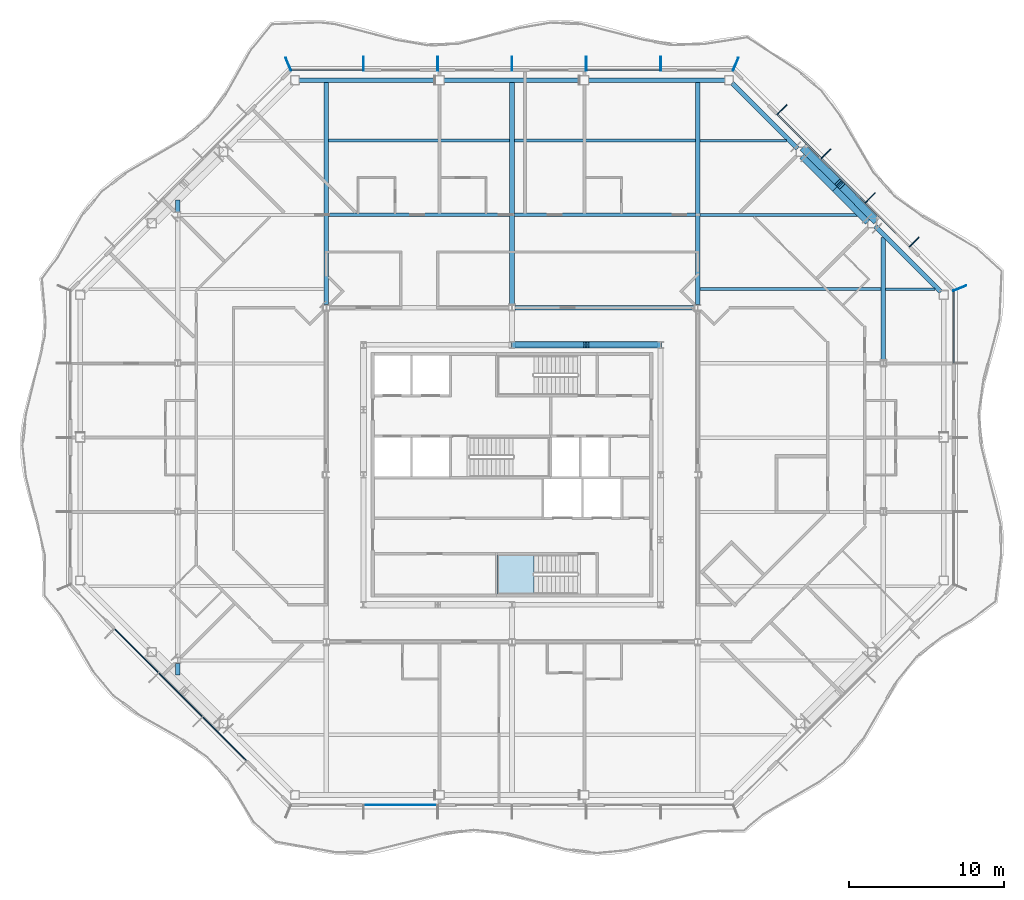
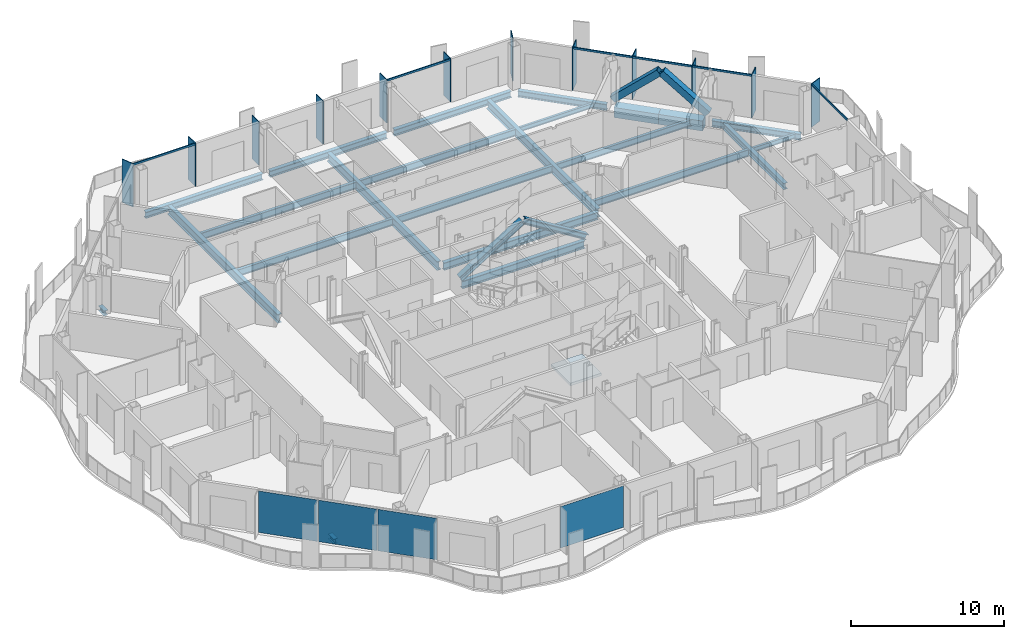
# One storey, part 5 of 21: 23 beams, 22 members, 4 plates, 1 slab, 7 elements without a shape of their own.
"""IFC4 building model written with IfcOpenShell, lengths in metres."""

from ifc_helpers import new_model, si_unit, direction, frame, origin, origin_2d, place, context, subcontext, project, spatial, polyline, rectangle, hollow_rectangle, i_section, outline, extrude, material, layer, layer_set, material_profile, profile_set, type_object, element, aggregate, save


model = new_model("IFC4")

# Units and contexts
model_context = context("Model", 3, precision=1e-05, world=origin(), true_north=direction((0.0, 1.0)))
body_context = subcontext(model_context, "Body", "Model", "MODEL_VIEW")
ifc_project = project(units=[si_unit("LENGTHUNIT", "METRE"), si_unit("AREAUNIT", "SQUARE_METRE"), si_unit("VOLUMEUNIT", "CUBIC_METRE"), si_unit("PLANEANGLEUNIT", "RADIAN"), si_unit("MASSUNIT", "GRAM", prefix="KILO")], contexts=[model_context])

# Site, building, storey
site_placement = place(None, origin())
site = spatial("IfcSite", under=ifc_project, at=site_placement, CompositionType="ELEMENT")
building_placement = place(site_placement, origin())
building = spatial("IfcBuilding", under=site, at=building_placement, Name="Cairn Pilgrim Tower", CompositionType="ELEMENT")
storey_placement = place(building_placement, frame((0.0, 0.0, 161.39990234375)))
storey = spatial("IfcBuildingStorey", under=building, at=storey_placement, Name="L40", CompositionType="ELEMENT", Elevation=161.39990234375)

# Members
ifc_material_1 = material(Name="Structural steel S460M", Category="steel")
ifc_material_profile_1 = material_profile(ifc_material_1, hollow_rectangle(XDim=0.5, YDim=0.5, WallThickness=0.030029296875, at=origin_2d()), Name="BOX 500x500x30")
ifc_profile_set_1 = profile_set([ifc_material_profile_1], Name="Structural steel S460M")
member_type_1 = type_object("IfcMemberType", Name="BOX 500x500x30 BRACE", PredefinedType="BRACE", material=ifc_profile_set_1)
for number, where, z_axis, x_axis, name in (
    (1, (30.643310546875, 18.89794921875, 0.150146484375), (-0.53283023714, 0.540432836476, 0.651171473306), (-0.712097799006, -0.702080283622, 0.0), "XB-NE2-NE3-1"),
    (2, (26.097900390625, 23.443359375, 0.150146484375), (0.540432836476, -0.53283023714, 0.651171473306), (0.702080283622, 0.712097799006, 0.0), "XB-NE2-NE3-2"),
):
    element("IfcMember", number, at=place(storey_placement, frame(where, z_axis=z_axis, x_axis=x_axis)), inside=storey, type_object=member_type_1, Name=name, PredefinedType="BRACE", context=body_context, shape_type="SweptSolid", body=[
        extrude(hollow_rectangle(XDim=0.5, YDim=0.5, WallThickness=0.030029296875, at=origin_2d()), origin(), (0.0, 0.0, 1.0), 4.142578125),
    ])

# Beams
ifc_material_2 = material(Name="Structural steel S355J2", Category="steel")
ifc_material_profile_2 = material_profile(ifc_material_2, hollow_rectangle(XDim=0.699951171875, YDim=0.800048828125, WallThickness=0.0400390625, at=origin_2d()), Name="BOX 700x800x40")
ifc_profile_set_2 = profile_set([ifc_material_profile_2], Name="Structural steel S355J2")
beam_type_1 = type_object("IfcBeamType", Name="BOX 700x800x40 RING GIRDER", PredefinedType="SPANDREL", material=ifc_profile_set_2)
beam_1_placement = place(storey_placement, frame((30.284912109375, 18.84228515625, -0.5498046875), z_axis=(-0.707106781187, 0.707106781187, 0.0), x_axis=(-0.707106781187, -0.707106781187, 0.0)))
element("IfcBeam", 3, at=beam_1_placement, inside=storey, type_object=beam_type_1, Name="RG2-NE2-NE3-1", PredefinedType="SPANDREL", context=body_context, shape_type="SweptSolid", body=[
    extrude(hollow_rectangle(XDim=0.699951171875, YDim=0.800048828125, WallThickness=0.0400390625, at=origin_2d()), origin(), (0.0, 0.0, 1.0), 3.0),
])
beam_2_placement = place(storey_placement, frame((28.16357421875, 20.963623046875, -0.5498046875), z_axis=(-0.707106781187, 0.707106781187, 0.0), x_axis=(-0.707106781187, -0.707106781187, 0.0)))
element("IfcBeam", 4, at=beam_2_placement, inside=storey, type_object=beam_type_1, Name="RG2-NE2-NE3-2", PredefinedType="SPANDREL", context=body_context, shape_type="SweptSolid", body=[
    extrude(hollow_rectangle(XDim=0.699951171875, YDim=0.800048828125, WallThickness=0.0400390625, at=origin_2d()), origin(), (0.0, 0.0, 1.0), 2.999755859375),
])

# Curtain wall, members
ifc_material_3 = material(Name="Aluminium alloy 6063-T6 bronze anodised with Bronze tinted laminated low-E glass 8+16+8.8", Category="aluminium")
curtain_wall_type_1 = type_object("IfcCurtainWallType", Name="CHAMFER CORNER CURTAIN WALL", PredefinedType="NOTDEFINED", material=ifc_material_3)
curtain_wall_1_placement = place(storey_placement, origin())
curtain_wall_1 = element("IfcCurtainWall", 5, at=curtain_wall_1_placement, inside=storey, type_object=curtain_wall_type_1, Name="Chamfer Corner Curtain Wall NE", PredefinedType="NOTDEFINED")
ifc_material_4 = material(Name="Aluminium alloy 6063-T6 bronze anodised", Category="aluminium")
ifc_material_profile_3 = material_profile(ifc_material_4, rectangle(XDim=0.89990234375, YDim=0.06005859375, at=origin_2d()), Name="FIN MULLION 60x900 BRONZE")
ifc_profile_set_3 = profile_set([ifc_material_profile_3], Name="Aluminium alloy 6063-T6 bronze anodised")
member_type_2 = type_object("IfcMemberType", Name="FIN MULLION 60x900 BRONZE", PredefinedType="MULLION", material=ifc_profile_set_3)
member_1_placement = place(storey_placement, frame((36.137939453125, 14.457275390625, 0.0), z_axis=(0.0, 0.0, 1.0), x_axis=(0.923879532511, 0.382683432365, 0.0)))
member_1 = element("IfcMember", 6, at=member_1_placement, type_object=member_type_2, Name="Fin mullion NE1", PredefinedType="MULLION", context=body_context, shape_type="SweptSolid", body=[
    extrude(rectangle(XDim=0.89990234375, YDim=0.06005859375, at=origin_2d()), origin(), (0.0, 0.0, 1.0), 3.4501953125),
])
member_2_placement = place(storey_placement, frame((33.1962890625, 17.444091796875, 0.0), z_axis=(0.0, 0.0, 1.0), x_axis=(0.707106781187, 0.707106781187, 0.0)))
member_2 = element("IfcMember", 7, at=member_2_placement, type_object=member_type_2, Name="Fin mullion NE2", PredefinedType="MULLION", context=body_context, shape_type="SweptSolid", body=[
    extrude(rectangle(XDim=0.89990234375, YDim=0.06005859375, at=origin_2d()), origin(), (0.0, 0.0, 1.0), 3.4501953125),
])
member_3_placement = place(storey_placement, frame((30.345458984375, 20.294921875, 0.0), z_axis=(0.0, 0.0, 1.0), x_axis=(0.707106781187, 0.707106781187, 0.0)))
member_3 = element("IfcMember", 8, at=member_3_placement, type_object=member_type_2, Name="Fin mullion NE3", PredefinedType="MULLION", context=body_context, shape_type="SweptSolid", body=[
    extrude(rectangle(XDim=0.89990234375, YDim=0.06005859375, at=origin_2d()), origin(), (0.0, 0.0, 1.0), 3.4501953125),
])
member_4_placement = place(storey_placement, frame((27.494873046875, 23.1455078125, 0.0), z_axis=(0.0, 0.0, 1.0), x_axis=(0.707106781187, 0.707106781187, 0.0)))
member_4 = element("IfcMember", 9, at=member_4_placement, type_object=member_type_2, Name="Fin mullion NE4", PredefinedType="MULLION", context=body_context, shape_type="SweptSolid", body=[
    extrude(rectangle(XDim=0.89990234375, YDim=0.06005859375, at=origin_2d()), origin(), (0.0, 0.0, 1.0), 3.4501953125),
])
member_5_placement = place(storey_placement, frame((24.64404296875, 25.996337890625, 0.0), z_axis=(0.0, 0.0, 1.0), x_axis=(0.707106781187, 0.707106781187, 0.0)))
member_5 = element("IfcMember", 10, at=member_5_placement, type_object=member_type_2, Name="Fin mullion NE5", PredefinedType="MULLION", context=body_context, shape_type="SweptSolid", body=[
    extrude(rectangle(XDim=0.89990234375, YDim=0.06005859375, at=origin_2d()), origin(), (0.0, 0.0, 1.0), 3.4501953125),
])

curtain_wall_type_2 = type_object("IfcCurtainWallType", Name="TOWER STICK CURTAIN WALL NS", PredefinedType="NOTDEFINED", material=ifc_material_3)
curtain_wall_2_placement = place(storey_placement, origin())
curtain_wall_2 = element("IfcCurtainWall", 11, at=curtain_wall_2_placement, inside=storey, type_object=curtain_wall_type_2, Name="Tower Stick Curtain Wall Ns N", PredefinedType="NOTDEFINED")
member_6_placement = place(storey_placement, frame((21.6572265625, 28.93798828125, 0.0), z_axis=(0.0, 0.0, 1.0), x_axis=(0.382683432365, 0.923879532511, 0.0)))
member_6 = element("IfcMember", 12, at=member_6_placement, type_object=member_type_2, Name="Fin mullion N1", PredefinedType="MULLION", context=body_context, shape_type="SweptSolid", body=[
    extrude(rectangle(XDim=0.89990234375, YDim=0.06005859375, at=origin_2d()), origin(), (0.0, 0.0, 1.0), 3.4501953125),
])
member_7_placement = place(storey_placement, frame((16.800048828125, 28.969970703125, 0.0), z_axis=(0.0, 0.0, 1.0), x_axis=(0.0, 1.0, 0.0)))
member_7 = element("IfcMember", 13, at=member_7_placement, type_object=member_type_2, Name="Fin mullion N2", PredefinedType="MULLION", context=body_context, shape_type="SweptSolid", body=[
    extrude(rectangle(XDim=0.89990234375, YDim=0.06005859375, at=origin_2d()), origin(), (0.0, 0.0, 1.0), 3.4501953125),
])
member_8_placement = place(storey_placement, frame((12.0, 28.969970703125, 0.0), z_axis=(0.0, 0.0, 1.0), x_axis=(0.0, 1.0, 0.0)))
member_8 = element("IfcMember", 14, at=member_8_placement, type_object=member_type_2, Name="Fin mullion N3", PredefinedType="MULLION", context=body_context, shape_type="SweptSolid", body=[
    extrude(rectangle(XDim=0.89990234375, YDim=0.06005859375, at=origin_2d()), origin(), (0.0, 0.0, 1.0), 3.4501953125),
])
member_9_placement = place(storey_placement, frame((7.199951171875, 28.969970703125, 0.0), z_axis=(0.0, 0.0, 1.0), x_axis=(0.0, 1.0, 0.0)))
member_9 = element("IfcMember", 15, at=member_9_placement, type_object=member_type_2, Name="Fin mullion N4", PredefinedType="MULLION", context=body_context, shape_type="SweptSolid", body=[
    extrude(rectangle(XDim=0.89990234375, YDim=0.06005859375, at=origin_2d()), origin(), (0.0, 0.0, 1.0), 3.4501953125),
])
member_10_placement = place(storey_placement, frame((2.39990234375, 28.969970703125, 0.0), z_axis=(0.0, 0.0, 1.0), x_axis=(0.0, 1.0, 0.0)))
member_10 = element("IfcMember", 16, at=member_10_placement, type_object=member_type_2, Name="Fin mullion N5", PredefinedType="MULLION", context=body_context, shape_type="SweptSolid", body=[
    extrude(rectangle(XDim=0.89990234375, YDim=0.06005859375, at=origin_2d()), origin(), (0.0, 0.0, 1.0), 3.4501953125),
])
member_11_placement = place(storey_placement, frame((-2.39990234375, 28.969970703125, 0.0), z_axis=(0.0, 0.0, 1.0), x_axis=(0.0, 1.0, 0.0)))
member_11 = element("IfcMember", 17, at=member_11_placement, type_object=member_type_2, Name="Fin mullion N6", PredefinedType="MULLION", context=body_context, shape_type="SweptSolid", body=[
    extrude(rectangle(XDim=0.89990234375, YDim=0.06005859375, at=origin_2d()), origin(), (0.0, 0.0, 1.0), 3.4501953125),
])

# Curtain wall, member
curtain_wall_3_placement = place(storey_placement, origin())
curtain_wall_3 = element("IfcCurtainWall", 18, at=curtain_wall_3_placement, inside=storey, type_object=curtain_wall_type_1, Name="Chamfer Corner Curtain Wall NW", PredefinedType="NOTDEFINED")
member_12_placement = place(storey_placement, frame((-7.257080078125, 28.93798828125, 0.0), z_axis=(0.0, 0.0, 1.0), x_axis=(-0.382683432365, 0.923879532511, 0.0)))
member_12 = element("IfcMember", 19, at=member_12_placement, type_object=member_type_2, Name="Fin mullion NW1", PredefinedType="MULLION", context=body_context, shape_type="SweptSolid", body=[
    extrude(rectangle(XDim=0.89990234375, YDim=0.06005859375, at=origin_2d()), origin(), (0.0, 0.0, 1.0), 3.4501953125),
])
aggregate(curtain_wall_3, [member_12])

# Members
ifc_material_profile_4 = material_profile(ifc_material_1, i_section(OverallWidth=0.408935546875, OverallDepth=0.425048828125, WebThickness=0.03271484375, FlangeThickness=0.052490234375, FilletRadius=0.014892578125, at=origin_2d()), Name="HD 400x421")
ifc_profile_set_4 = profile_set([ifc_material_profile_4], Name="Structural steel S460M")
member_type_3 = type_object("IfcMemberType", Name="HD 400x421 BRACE", PredefinedType="BRACE", material=ifc_profile_set_4)
for number, where, z_axis, x_axis, name in (
    (20, (16.75830078125, 10.800048828125, 0.10009765625), (-0.851119565216, 0.0, 0.524971890397), (0.0, -1.0, 0.0), "KB-3A"),
    (21, (7.24169921875, 10.800048828125, 0.10009765625), (0.851119565216, 0.0, 0.524971890397), (0.0, 1.0, 0.0), "KB-3B"),
):
    element("IfcMember", number, at=place(storey_placement, frame(where, z_axis=z_axis, x_axis=x_axis)), inside=storey, type_object=member_type_3, Name=name, PredefinedType="BRACE", context=body_context, shape_type="SweptSolid", body=[
        extrude(i_section(OverallWidth=0.408935546875, OverallDepth=0.425048828125, WebThickness=0.03271484375, FlangeThickness=0.052490234375, FilletRadius=0.014892578125, at=origin_2d()), origin(), (0.0, 0.0, 1.0), 5.528076171875),
    ])

# Beams
ifc_material_profile_5 = material_profile(ifc_material_2, i_section(OverallWidth=0.300048828125, OverallDepth=0.39990234375, WebThickness=0.013427734375, FlangeThickness=0.02392578125, FilletRadius=0.027099609375, at=origin_2d()), Name="HEB 400")
ifc_profile_set_5 = profile_set([ifc_material_profile_5], Name="Structural steel S355J2")
beam_type_2 = type_object("IfcBeamType", Name="HEB 400 GIRDER", PredefinedType="BEAM", material=ifc_profile_set_5)
for number, where, z_axis, x_axis, name in (
    (22, (-14.39990234375, -10.545166015625, -0.349853515625), (0.0, 1.0, 0.0), (-1.0, 0.0, 0.0), "PG1-E1"),
    (23, (-14.39990234375, 19.3994140625, -0.349853515625), (0.0, 1.0, 0.0), (-1.0, 0.0, 0.0), "PG1-E2"),
):
    element("IfcBeam", number, at=place(storey_placement, frame(where, z_axis=z_axis, x_axis=x_axis)), inside=storey, type_object=beam_type_2, Name=name, PredefinedType="BEAM", context=body_context, shape_type="SweptSolid", body=[
        extrude(i_section(OverallWidth=0.300048828125, OverallDepth=0.39990234375, WebThickness=0.013427734375, FlangeThickness=0.02392578125, FilletRadius=0.027099609375, at=origin_2d()), origin(), (0.0, 0.0, 1.0), 0.74560546875),
    ])
ifc_material_profile_6 = material_profile(ifc_material_2, i_section(OverallWidth=0.300048828125, OverallDepth=0.5, WebThickness=0.014404296875, FlangeThickness=0.028076171875, FilletRadius=0.027099609375, at=origin_2d()), Name="HEB 500")
ifc_profile_set_6 = profile_set([ifc_material_profile_6], Name="Structural steel S355J2")
beam_type_3 = type_object("IfcBeamType", Name="HEB 500 GIRDER", PredefinedType="BEAM", material=ifc_profile_set_6)
beam_3_placement = place(storey_placement, frame((31.199951171875, 9.804443359375, -0.39990234375), z_axis=(0.0, 1.0, 0.0), x_axis=(-1.0, 0.0, 0.0)))
element("IfcBeam", 24, at=beam_3_placement, inside=storey, type_object=beam_type_3, Name="PG5-3", PredefinedType="BEAM", context=body_context, shape_type="SweptSolid", body=[
    extrude(i_section(OverallWidth=0.300048828125, OverallDepth=0.5, WebThickness=0.014404296875, FlangeThickness=0.028076171875, FilletRadius=0.027099609375, at=origin_2d()), origin(), (0.0, 0.0, 1.0), 7.940673828125),
])
ifc_material_profile_7 = material_profile(ifc_material_2, i_section(OverallWidth=0.300048828125, OverallDepth=0.5, WebThickness=0.014404296875, FlangeThickness=0.028076171875, FilletRadius=0.027099609375, at=origin_2d()), Name="HEB 500")
ifc_profile_set_7 = profile_set([ifc_material_profile_7], Name="Structural steel S355J2")
beam_type_4 = type_object("IfcBeamType", Name="HEB 500 RING GIRDER", PredefinedType="SPANDREL", material=ifc_profile_set_7)
beam_4_placement = place(storey_placement, frame((34.9091796875, 14.218017578125, -0.39990234375), z_axis=(-0.707086435425, 0.707127126363, 0.0), x_axis=(-0.707127126363, -0.707086435425, 0.0)))
element("IfcBeam", 25, at=beam_4_placement, inside=storey, type_object=beam_type_4, Name="RG2-NE1-NE2", PredefinedType="SPANDREL", context=body_context, shape_type="SweptSolid", body=[
    extrude(i_section(OverallWidth=0.300048828125, OverallDepth=0.5, WebThickness=0.014404296875, FlangeThickness=0.028076171875, FilletRadius=0.027099609375, at=origin_2d()), origin(), (0.0, 0.0, 1.0), 5.999755859375),
])
beam_5_placement = place(storey_placement, frame((25.66064453125, 23.466796875, -0.39990234375), z_axis=(-0.707127127534, 0.707086434254, 0.0), x_axis=(-0.707086434254, -0.707127127534, 0.0)))
element("IfcBeam", 26, at=beam_5_placement, inside=storey, type_object=beam_type_4, Name="RG2-NE3-N1", PredefinedType="SPANDREL", context=body_context, shape_type="SweptSolid", body=[
    extrude(i_section(OverallWidth=0.300048828125, OverallDepth=0.5, WebThickness=0.014404296875, FlangeThickness=0.028076171875, FilletRadius=0.027099609375, at=origin_2d()), origin(), (0.0, 0.0, 1.0), 5.99951171875),
])
for number, where, z_axis, x_axis, name in (
    (27, (20.957275390625, 27.89990234375, -0.39990234375), (-1.0, 0.0, 0.0), (0.0, -1.0, 0.0), "RG2-N1-N2"),
    (28, (11.605712890625, 27.89990234375, -0.39990234375), (-1.0, 0.0, 0.0), (0.0, -1.0, 0.0), "RG2-N2-N3"),
    (29, (2.25439453125, 27.89990234375, -0.39990234375), (-1.0, 0.0, 0.0), (0.0, -1.0, 0.0), "RG2-N3-NW1"),
):
    element("IfcBeam", number, at=place(storey_placement, frame(where, z_axis=z_axis, x_axis=x_axis)), inside=storey, type_object=beam_type_4, Name=name, PredefinedType="SPANDREL", context=body_context, shape_type="SweptSolid", body=[
        extrude(i_section(OverallWidth=0.300048828125, OverallDepth=0.5, WebThickness=0.014404296875, FlangeThickness=0.028076171875, FilletRadius=0.027099609375, at=origin_2d()), origin(), (0.0, 0.0, 1.0), 8.8115234375),
    ])
ifc_material_profile_8 = material_profile(ifc_material_2, i_section(OverallWidth=0.300048828125, OverallDepth=0.60009765625, WebThickness=0.015380859375, FlangeThickness=0.030029296875, FilletRadius=0.027099609375, at=origin_2d()), Name="HEB 600")
ifc_profile_set_8 = profile_set([ifc_material_profile_8], Name="Structural steel S355J2")
beam_type_5 = type_object("IfcBeamType", Name="HEB 600 CORE BEAM", PredefinedType="BEAM", material=ifc_profile_set_8)
beam_6_placement = place(storey_placement, frame((16.61279296875, 10.800048828125, -0.449951171875), z_axis=(-1.0, 0.0, 0.0), x_axis=(0.0, -1.0, 0.0)))
element("IfcBeam", 30, at=beam_6_placement, inside=storey, type_object=beam_type_5, Name="CB-5", PredefinedType="BEAM", context=body_context, shape_type="SweptSolid", body=[
    extrude(i_section(OverallWidth=0.300048828125, OverallDepth=0.60009765625, WebThickness=0.015380859375, FlangeThickness=0.030029296875, FilletRadius=0.027099609375, at=origin_2d()), origin(), (0.0, 0.0, 1.0), 9.2255859375),
])
ifc_material_profile_9 = material_profile(ifc_material_2, i_section(OverallWidth=0.300048828125, OverallDepth=0.60009765625, WebThickness=0.015380859375, FlangeThickness=0.030029296875, FilletRadius=0.027099609375, at=origin_2d()), Name="HEB 600")
ifc_profile_set_9 = profile_set([ifc_material_profile_9], Name="Structural steel S355J2")
beam_type_6 = type_object("IfcBeamType", Name="HEB 600 INNER GIRDER", PredefinedType="BEAM", material=ifc_profile_set_9)
beam_7_placement = place(storey_placement, frame((7.3994140625, 13.199951171875, -0.449951171875), z_axis=(1.0, 0.0, 0.0), x_axis=(0.0, 1.0, 0.0)))
element("IfcBeam", 31, at=beam_7_placement, inside=storey, type_object=beam_type_6, Name="IG2-2", PredefinedType="BEAM", context=body_context, shape_type="SweptSolid", body=[
    extrude(i_section(OverallWidth=0.300048828125, OverallDepth=0.60009765625, WebThickness=0.015380859375, FlangeThickness=0.030029296875, FilletRadius=0.027099609375, at=origin_2d()), origin(), (0.0, 0.0, 1.0), 11.60107421875),
])
ifc_material_profile_10 = material_profile(ifc_material_2, i_section(OverallWidth=0.300048828125, OverallDepth=0.699951171875, WebThickness=0.01708984375, FlangeThickness=0.031982421875, FilletRadius=0.027099609375, at=origin_2d()), Name="HEB 700")
ifc_profile_set_10 = profile_set([ifc_material_profile_10], Name="Structural steel S355J2")
beam_type_7 = type_object("IfcBeamType", Name="HEB 700 GIRDER", PredefinedType="BEAM", material=ifc_profile_set_10)
for number, where, z_axis, x_axis, name in (
    (32, (-4.800048828125, 13.3994140625, -0.5), (0.0, 1.0, 0.0), (-1.0, 0.0, 0.0), "PG2-4"),
    (33, (7.199951171875, 13.3994140625, -0.5), (0.0, 1.0, 0.0), (-1.0, 0.0, 0.0), "PG3-2"),
    (34, (19.199951171875, 13.3994140625, -0.5), (0.0, 1.0, 0.0), (-1.0, 0.0, 0.0), "PG4-4"),
):
    element("IfcBeam", number, at=place(storey_placement, frame(where, z_axis=z_axis, x_axis=x_axis)), inside=storey, type_object=beam_type_7, Name=name, PredefinedType="BEAM", context=body_context, shape_type="SweptSolid", body=[
        extrude(i_section(OverallWidth=0.300048828125, OverallDepth=0.699951171875, WebThickness=0.01708984375, FlangeThickness=0.031982421875, FilletRadius=0.027099609375, at=origin_2d()), origin(), (0.0, 0.0, 1.0), 14.380615234375),
    ])
ifc_material_profile_11 = material_profile(ifc_material_2, i_section(OverallWidth=0.169921875, OverallDepth=0.360107421875, WebThickness=0.008056640625, FlangeThickness=0.0126953125, FilletRadius=0.01806640625, at=origin_2d()), Name="IPE 360")
ifc_profile_set_11 = profile_set([ifc_material_profile_11], Name="Structural steel S355J2")
beam_type_8 = type_object("IfcBeamType", Name="IPE 360 SECONDARY BEAM", PredefinedType="JOIST", material=ifc_profile_set_11)
beam_8_placement = place(storey_placement, frame((31.35009765625, 14.39990234375, -0.329833984375), z_axis=(1.0, 0.0, 0.0), x_axis=(0.0, 1.0, 0.0)))
element("IfcBeam", 35, at=beam_8_placement, inside=storey, type_object=beam_type_8, Name="SB7-4", PredefinedType="JOIST", context=body_context, shape_type="SweptSolid", body=[
    extrude(i_section(OverallWidth=0.169921875, OverallDepth=0.360107421875, WebThickness=0.008056640625, FlangeThickness=0.0126953125, FilletRadius=0.01806640625, at=origin_2d()), origin(), (0.0, 0.0, 1.0), 3.195068359375),
])
beam_9_placement = place(storey_placement, frame((19.35009765625, 24.0, -0.329833984375), z_axis=(1.0, 0.0, 0.0), x_axis=(0.0, 1.0, 0.0)))
element("IfcBeam", 36, at=beam_9_placement, inside=storey, type_object=beam_type_8, Name="SB9-4", PredefinedType="JOIST", context=body_context, shape_type="SweptSolid", body=[
    extrude(i_section(OverallWidth=0.169921875, OverallDepth=0.360107421875, WebThickness=0.008056640625, FlangeThickness=0.0126953125, FilletRadius=0.01806640625, at=origin_2d()), origin(), (0.0, 0.0, 1.0), 5.594970703125),
])
ifc_material_profile_12 = material_profile(ifc_material_2, i_section(OverallWidth=0.199951171875, OverallDepth=0.5, WebThickness=0.01025390625, FlangeThickness=0.01611328125, FilletRadius=0.02099609375, at=origin_2d()), Name="IPE 500")
ifc_profile_set_12 = profile_set([ifc_material_profile_12], Name="Structural steel S355J2")
beam_type_9 = type_object("IfcBeamType", Name="IPE 500 SECONDARY BEAM", PredefinedType="JOIST", material=ifc_profile_set_12)
beam_10_placement = place(storey_placement, frame((19.35009765625, 19.199951171875, -0.39990234375), z_axis=(1.0, 0.0, 0.0), x_axis=(0.0, 1.0, 0.0)))
element("IfcBeam", 37, at=beam_10_placement, inside=storey, type_object=beam_type_9, Name="SB8-4", PredefinedType="JOIST", context=body_context, shape_type="SweptSolid", body=[
    extrude(i_section(OverallWidth=0.199951171875, OverallDepth=0.5, WebThickness=0.01025390625, FlangeThickness=0.01611328125, FilletRadius=0.02099609375, at=origin_2d()), origin(), (0.0, 0.0, 1.0), 10.39501953125),
])
ifc_material_profile_13 = material_profile(ifc_material_2, i_section(OverallWidth=0.2099609375, OverallDepth=0.550048828125, WebThickness=0.010986328125, FlangeThickness=0.01708984375, FilletRadius=0.02392578125, at=origin_2d()), Name="IPE 550")
ifc_profile_set_13 = profile_set([ifc_material_profile_13], Name="Structural steel S355J2")
beam_type_10 = type_object("IfcBeamType", Name="IPE 550 SECONDARY BEAM", PredefinedType="JOIST", material=ifc_profile_set_13)
for number, where, z_axis, x_axis, name in (
    (38, (19.35009765625, 14.39990234375, -0.4248046875), (1.0, 0.0, 0.0), (0.0, 1.0, 0.0), "SB7-3"),
    (39, (-4.64990234375, 19.199951171875, -0.4248046875), (1.0, 0.0, 0.0), (0.0, 1.0, 0.0), "SB8-2"),
    (40, (7.35009765625, 19.199951171875, -0.4248046875), (1.0, 0.0, 0.0), (0.0, 1.0, 0.0), "SB8-3"),
    (41, (-4.64990234375, 24.0, -0.4248046875), (1.0, 0.0, 0.0), (0.0, 1.0, 0.0), "SB9-2"),
    (42, (7.35009765625, 24.0, -0.4248046875), (1.0, 0.0, 0.0), (0.0, 1.0, 0.0), "SB9-3"),
):
    element("IfcBeam", number, at=place(storey_placement, frame(where, z_axis=z_axis, x_axis=x_axis)), inside=storey, type_object=beam_type_10, Name=name, PredefinedType="JOIST", context=body_context, shape_type="SweptSolid", body=[
        extrude(i_section(OverallWidth=0.2099609375, OverallDepth=0.550048828125, WebThickness=0.010986328125, FlangeThickness=0.01708984375, FilletRadius=0.02392578125, at=origin_2d()), origin(), (0.0, 0.0, 1.0), 11.699951171875),
    ])

# Curtain wall, member
curtain_wall_type_3 = type_object("IfcCurtainWallType", Name="TOWER STICK CURTAIN WALL EW", PredefinedType="NOTDEFINED", material=ifc_material_3)
curtain_wall_4_placement = place(storey_placement, origin())
curtain_wall_4 = element("IfcCurtainWall", 43, at=curtain_wall_4_placement, inside=storey, type_object=curtain_wall_type_3, Name="Tower Stick Curtain Wall Ew E", PredefinedType="NOTDEFINED")
ifc_material_profile_14 = material_profile(ifc_material_4, rectangle(XDim=0.080078125, YDim=0.14990234375, at=origin_2d()), Name="TRANSOM 80x150 BRONZE")
ifc_profile_set_14 = profile_set([ifc_material_profile_14], Name="Aluminium alloy 6063-T6 bronze anodised")
member_type_4 = type_object("IfcMemberType", Name="TRANSOM 80x150 BRONZE", PredefinedType="USERDEFINED", material=ifc_profile_set_14)
member_13_placement = place(storey_placement, frame((35.75, 9.6298828125, 3.375), z_axis=(0.0, 1.0, 0.0), x_axis=(-1.0, 0.0, 0.0)))
member_13 = element("IfcMember", 44, at=member_13_placement, type_object=member_type_4, Name="Transom E4", ObjectType="TRANSOM", PredefinedType="USERDEFINED", context=body_context, shape_type="SweptSolid", body=[
    extrude(rectangle(XDim=0.080078125, YDim=0.14990234375, at=origin_2d()), origin(), (0.0, 0.0, 1.0), 4.62646484375),
])
aggregate(curtain_wall_4, [member_13])

# Member
member_14_placement = place(storey_placement, frame((32.878173828125, 17.16845703125, 3.375), z_axis=(-0.70713751761, 0.707076043427, 0.0), x_axis=(-0.707076043427, -0.70713751761, 0.0)))
member_14 = element("IfcMember", 45, at=member_14_placement, type_object=member_type_4, Name="Transom NE2", ObjectType="TRANSOM", PredefinedType="USERDEFINED", context=body_context, shape_type="SweptSolid", body=[
    extrude(rectangle(XDim=0.080078125, YDim=0.14990234375, at=origin_2d()), origin(), (0.0, 0.0, 1.0), 3.971435546875),
])

member_15_placement = place(storey_placement, frame((30.02734375, 20.01904296875, 3.375), z_axis=(-0.707106781187, 0.707106781187, 0.0), x_axis=(-0.707106781187, -0.707106781187, 0.0)))
member_15 = element("IfcMember", 46, at=member_15_placement, type_object=member_type_4, Name="Transom NE3", ObjectType="TRANSOM", PredefinedType="USERDEFINED", context=body_context, shape_type="SweptSolid", body=[
    extrude(rectangle(XDim=0.080078125, YDim=0.14990234375, at=origin_2d()), origin(), (0.0, 0.0, 1.0), 3.9716796875),
])

member_16_placement = place(storey_placement, frame((27.1767578125, 22.869873046875, 3.375), z_axis=(-0.70713751761, 0.707076043427, 0.0), x_axis=(-0.707076043427, -0.70713751761, 0.0)))
member_16 = element("IfcMember", 47, at=member_16_placement, type_object=member_type_4, Name="Transom NE4", ObjectType="TRANSOM", PredefinedType="USERDEFINED", context=body_context, shape_type="SweptSolid", body=[
    extrude(rectangle(XDim=0.080078125, YDim=0.14990234375, at=origin_2d()), origin(), (0.0, 0.0, 1.0), 3.971435546875),
])

aggregate(curtain_wall_1, [member_1, member_2, member_3, member_4, member_5, member_14, member_15, member_16])

member_17_placement = place(storey_placement, frame((16.77001953125, 28.550048828125, 3.375), z_axis=(-1.0, 0.0, 0.0), x_axis=(0.0, -1.0, 0.0)))
member_17 = element("IfcMember", 48, at=member_17_placement, type_object=member_type_4, Name="Transom N2", ObjectType="TRANSOM", PredefinedType="USERDEFINED", context=body_context, shape_type="SweptSolid", body=[
    extrude(rectangle(XDim=0.080078125, YDim=0.14990234375, at=origin_2d()), origin(), (0.0, 0.0, 1.0), 4.739990234375),
])

member_18_placement = place(storey_placement, frame((-2.429931640625, 28.550048828125, 3.375), z_axis=(-1.0, 0.0, 0.0), x_axis=(0.0, -1.0, 0.0)))
member_18 = element("IfcMember", 49, at=member_18_placement, type_object=member_type_4, Name="Transom N6", ObjectType="TRANSOM", PredefinedType="USERDEFINED", context=body_context, shape_type="SweptSolid", body=[
    extrude(rectangle(XDim=0.080078125, YDim=0.14990234375, at=origin_2d()), origin(), (0.0, 0.0, 1.0), 4.62646484375),
])

aggregate(curtain_wall_2, [member_6, member_7, member_8, member_9, member_10, member_11, member_17, member_18])

# Curtain wall, plates
curtain_wall_5_placement = place(storey_placement, origin())
curtain_wall_5 = element("IfcCurtainWall", 50, at=curtain_wall_5_placement, inside=storey, type_object=curtain_wall_type_1, Name="Chamfer Corner Curtain Wall SW", PredefinedType="NOTDEFINED")
ifc_material_5 = material(Name="Bronze anodised aluminium spandrel panel with mineral wool insulation", Category="aluminium")
ifc_layer_1 = layer(ifc_material_5, 0.06005859375)
ifc_layer_set_1 = layer_set([ifc_layer_1], Name="SPANDREL PANEL 3972x3300")
plate_type_1 = type_object("IfcPlateType", Name="SPANDREL PANEL 3972x3300", PredefinedType="CURTAIN_PANEL", material=ifc_layer_set_1)
plate_1_placement = place(storey_placement, frame((-17.073974609375, -8.972412109375, 0.0), z_axis=(0.0, 0.0, 1.0), x_axis=(0.707106781187, -0.707106781187, 0.0)))
plate_1 = element("IfcPlate", 51, at=plate_1_placement, type_object=plate_type_1, Name="Spandrel Panel SW2-1", PredefinedType="CURTAIN_PANEL", context=body_context, shape_type="SweptSolid", body=[
    extrude(rectangle(XDim=3.971435546875, YDim=0.06005859375, at=origin_2d()), origin(), (0.0, 0.0, 1.0), 3.300048828125),
])
plate_2_placement = place(storey_placement, frame((-14.22314453125, -11.8232421875, 0.0), z_axis=(0.0, 0.0, 1.0), x_axis=(0.707106781187, -0.707106781187, 0.0)))
plate_2 = element("IfcPlate", 52, at=plate_2_placement, type_object=plate_type_1, Name="Spandrel Panel SW3-1", PredefinedType="CURTAIN_PANEL", context=body_context, shape_type="SweptSolid", body=[
    extrude(rectangle(XDim=3.971435546875, YDim=0.06005859375, at=origin_2d()), origin(), (0.0, 0.0, 1.0), 3.300048828125),
])
plate_3_placement = place(storey_placement, frame((-11.37255859375, -14.673828125, 0.0), z_axis=(0.0, 0.0, 1.0), x_axis=(0.707106781187, -0.707106781187, 0.0)))
plate_3 = element("IfcPlate", 53, at=plate_3_placement, type_object=plate_type_1, Name="Spandrel Panel SW4-1", PredefinedType="CURTAIN_PANEL", context=body_context, shape_type="SweptSolid", body=[
    extrude(rectangle(XDim=3.971435546875, YDim=0.06005859375, at=origin_2d()), origin(), (0.0, 0.0, 1.0), 3.300048828125),
])
aggregate(curtain_wall_5, [plate_1, plate_2, plate_3])

# Stair, slab
ifc_material_6 = material(Name="Concrete C32/40", Category="concrete")
stair_type = type_object("IfcStairType", Name="EXIT STAIR 1200", PredefinedType="HALF_TURN_STAIR", material=ifc_material_6)
stair_placement = place(storey_placement, origin())
stair = element("IfcStair", 54, at=stair_placement, inside=storey, type_object=stair_type, Name="L40 Exit Stair A", PredefinedType="HALF_TURN_STAIR")
ifc_layer_2 = layer(ifc_material_6, 0.199951171875)
ifc_layer_set_2 = layer_set([ifc_layer_2], Name="STAIR LANDING 200")
slab_type = type_object("IfcSlabType", Name="STAIR LANDING 200", PredefinedType="LANDING", material=ifc_layer_set_2)
slab_placement = place(storey_placement, frame((0.0, 0.0, 1.60009765625)))
slab = element("IfcSlab", 55, at=slab_placement, type_object=slab_type, Name="ST-A landing 1", PredefinedType="LANDING", context=body_context, shape_type="SweptSolid", body=[
    extrude(outline(polyline([(8.625, -2.77490234375), (6.27490234375, -2.77490234375), (6.27490234375, -5.300048828125), (8.625, -5.300048828125), (8.625, -2.77490234375)])), origin(), (0.0, 0.0, 1.0), 0.199951171875),
])
aggregate(stair, [slab])

# Curtain wall, plate
curtain_wall_6_placement = place(storey_placement, origin())
curtain_wall_6 = element("IfcCurtainWall", 56, at=curtain_wall_6_placement, inside=storey, type_object=curtain_wall_type_2, Name="Tower Stick Curtain Wall Ns S", PredefinedType="NOTDEFINED")
ifc_material_7 = material(Name="Bronze tinted laminated low-E glass 8+16+8.8", Category="glass")
ifc_layer_3 = layer(ifc_material_7, 0.033935546875)
ifc_layer_set_3 = layer_set([ifc_layer_3], Name="VISION GLAZING 4740x3300")
plate_type_2 = type_object("IfcPlateType", Name="VISION GLAZING 4740x3300", PredefinedType="CURTAIN_PANEL", material=ifc_layer_set_3)
plate_4_placement = place(storey_placement, frame((0.0, -18.949951171875, 0.0), z_axis=(0.0, 0.0, 1.0), x_axis=(1.0, 0.0, 0.0)))
plate_4 = element("IfcPlate", 57, at=plate_4_placement, type_object=plate_type_2, Name="Vision Glazing S2-1", PredefinedType="CURTAIN_PANEL", context=body_context, shape_type="SweptSolid", body=[
    extrude(rectangle(XDim=4.739990234375, YDim=0.033935546875, at=origin_2d()), origin(), (0.0, 0.0, 1.0), 3.300048828125),
])
aggregate(curtain_wall_6, [plate_4])

save(model, "model.ifc")
